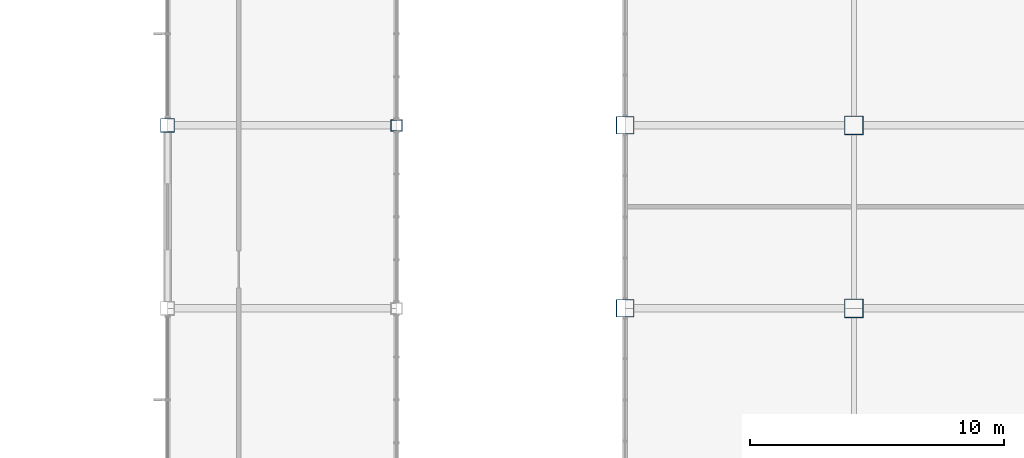
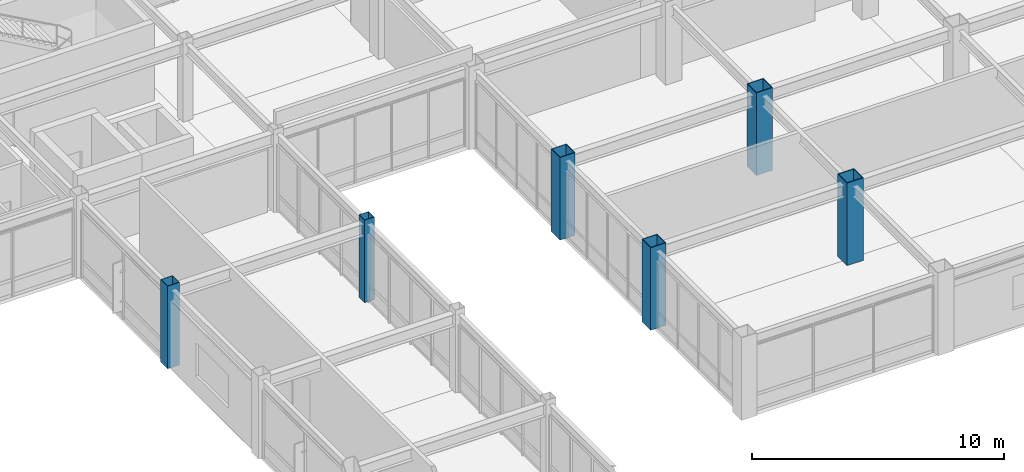
# One storey, part 6 of 122: 6 columns.
"""IFC4 building model written with IfcOpenShell, lengths in metres."""

from ifc_helpers import new_model, si_unit, direction, frame, origin, origin_2d, place, context, subcontext, project, spatial, hollow_rectangle, extrude, material, material_profile, profile_set, type_object, element, save


model = new_model("IFC4")

# Units and contexts
model_context = context("Model", 3, precision=1e-05, world=origin(), true_north=direction((0.0, 1.0)))
body_context = subcontext(model_context, "Body", "Model", "MODEL_VIEW")
ifc_project = project(units=[si_unit("LENGTHUNIT", "METRE"), si_unit("AREAUNIT", "SQUARE_METRE"), si_unit("VOLUMEUNIT", "CUBIC_METRE"), si_unit("PLANEANGLEUNIT", "RADIAN"), si_unit("MASSUNIT", "GRAM", prefix="KILO")], contexts=[model_context])

# Site, building, storey
site_placement = place(None, origin())
site = spatial("IfcSite", under=ifc_project, at=site_placement, CompositionType="ELEMENT")
building_placement = place(site_placement, origin())
building = spatial("IfcBuilding", under=site, at=building_placement, Name="Kazanami Central Library", CompositionType="ELEMENT")
storey_placement = place(building_placement, frame((0.0, 0.0, 4.800048828125)))
storey = spatial("IfcBuildingStorey", under=building, at=storey_placement, Name="L02", CompositionType="ELEMENT", Elevation=4.800048828125)

# Columns
ifc_material = material(Name="Steel BCP325 (325 MPa)", Category="steel")
ifc_material_profile_1 = material_profile(ifc_material, hollow_rectangle(XDim=0.449951171875, YDim=0.449951171875, WallThickness=0.01904296875, at=origin_2d()), Name="BCP-450x450x19")
ifc_profile_set_1 = profile_set([ifc_material_profile_1], Name="Steel BCP325 (325 MPa)")
column_type_1 = type_object("IfcColumnType", Name="COL-C-P2E", PredefinedType="COLUMN", material=ifc_profile_set_1)
column_1_placement = place(storey_placement, frame((108.0, 57.60009765625, 0.0), z_axis=(0.0, 0.0, 1.0), x_axis=(1.0, 0.0, 0.0)))
element("IfcColumn", 1, at=column_1_placement, inside=storey, type_object=column_type_1, Name="Column C-P2E L02 13/J", PredefinedType="COLUMN", context=body_context, shape_type="SweptSolid", body=[
    extrude(hollow_rectangle(XDim=0.449951171875, YDim=0.449951171875, WallThickness=0.01904296875, at=origin_2d()), origin(), (0.0, 0.0, 1.0), 4.0),
])
ifc_material_profile_2 = material_profile(ifc_material, hollow_rectangle(XDim=0.550048828125, YDim=0.550048828125, WallThickness=0.02197265625, at=origin_2d()), Name="BCP-550x550x22")
ifc_profile_set_2 = profile_set([ifc_material_profile_2], Name="Steel BCP325 (325 MPa)")
column_type_2 = type_object("IfcColumnType", Name="COL-C-P2I", PredefinedType="COLUMN", material=ifc_profile_set_2)
column_2_placement = place(storey_placement, frame((99.0, 57.60009765625, 0.0), z_axis=(0.0, 0.0, 1.0), x_axis=(1.0, 0.0, 0.0)))
element("IfcColumn", 2, at=column_2_placement, inside=storey, type_object=column_type_2, Name="Column C-P2I L02 12/J", PredefinedType="COLUMN", context=body_context, shape_type="SweptSolid", body=[
    extrude(hollow_rectangle(XDim=0.550048828125, YDim=0.550048828125, WallThickness=0.02197265625, at=origin_2d()), origin(), (0.0, 0.0, 1.0), 4.0),
])
ifc_material_profile_3 = material_profile(ifc_material, hollow_rectangle(XDim=0.75, YDim=0.75, WallThickness=0.031982421875, at=origin_2d()), Name="BCP-750x750x32")
ifc_profile_set_3 = profile_set([ifc_material_profile_3], Name="Steel BCP325 (325 MPa)")
column_type_3 = type_object("IfcColumnType", Name="COL-C-T1I", PredefinedType="COLUMN", material=ifc_profile_set_3)
for number, where, z_axis, x_axis, name in (
    (3, (126.0, 50.39990234375, 0.0), (0.0, 0.0, 1.0), (1.0, 0.0, 0.0), "Column C-T1I L02 15/H"),
    (4, (126.0, 57.60009765625, 0.0), (0.0, 0.0, 1.0), (1.0, 0.0, 0.0), "Column C-T1I L02 15/J"),
):
    element("IfcColumn", number, at=place(storey_placement, frame(where, z_axis=z_axis, x_axis=x_axis)), inside=storey, type_object=column_type_3, Name=name, PredefinedType="COLUMN", context=body_context, shape_type="SweptSolid", body=[
        extrude(hollow_rectangle(XDim=0.75, YDim=0.75, WallThickness=0.031982421875, at=origin_2d()), origin(), (0.0, 0.0, 1.0), 4.0),
    ])
ifc_material_profile_4 = material_profile(ifc_material, hollow_rectangle(XDim=0.699951171875, YDim=0.699951171875, WallThickness=0.028076171875, at=origin_2d()), Name="BCP-700x700x28")
ifc_profile_set_4 = profile_set([ifc_material_profile_4], Name="Steel BCP325 (325 MPa)")
column_type_4 = type_object("IfcColumnType", Name="COL-C-T1P", PredefinedType="COLUMN", material=ifc_profile_set_4)
for number, where, z_axis, x_axis, name in (
    (5, (117.0, 50.39990234375, 0.0), (0.0, 0.0, 1.0), (1.0, 0.0, 0.0), "Column C-T1P L02 14/H"),
    (6, (117.0, 57.60009765625, 0.0), (0.0, 0.0, 1.0), (1.0, 0.0, 0.0), "Column C-T1P L02 14/J"),
):
    element("IfcColumn", number, at=place(storey_placement, frame(where, z_axis=z_axis, x_axis=x_axis)), inside=storey, type_object=column_type_4, Name=name, PredefinedType="COLUMN", context=body_context, shape_type="SweptSolid", body=[
        extrude(hollow_rectangle(XDim=0.699951171875, YDim=0.699951171875, WallThickness=0.028076171875, at=origin_2d()), origin(), (0.0, 0.0, 1.0), 4.0),
    ])

save(model, "model.ifc")
